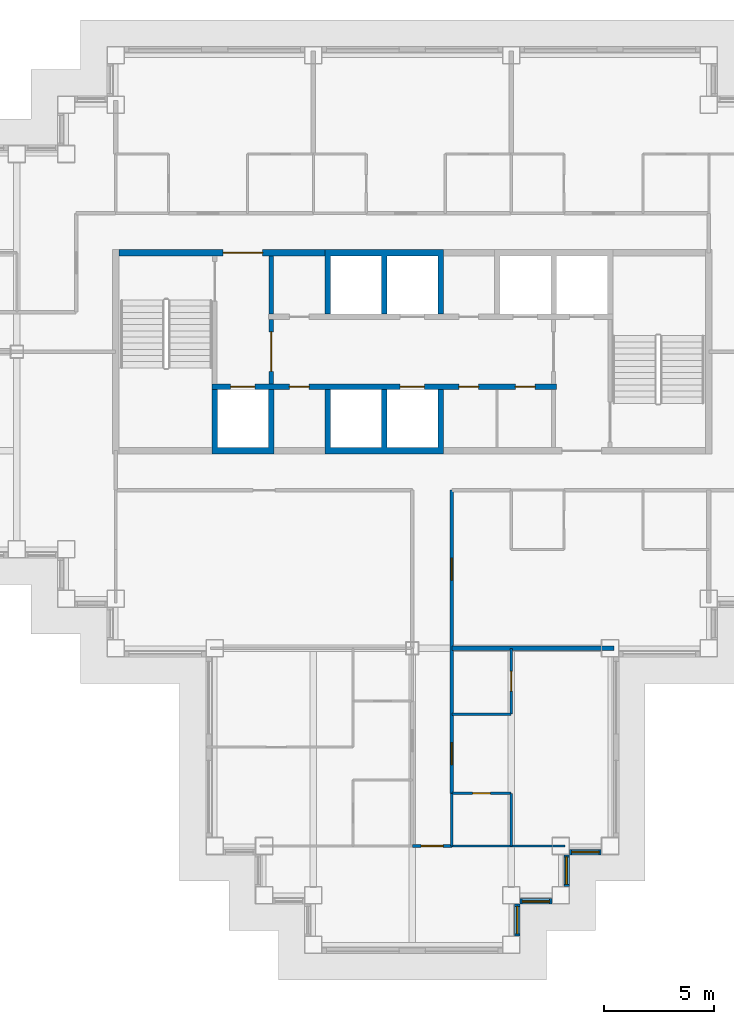
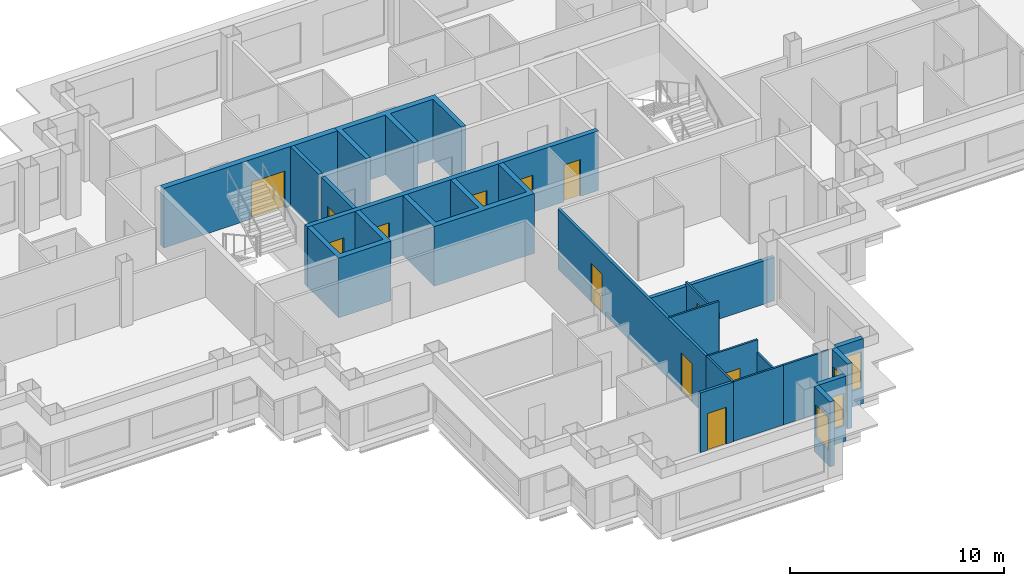
# One storey, part 5 of 13: 21 walls, 12 doors, 4 windows, 16 openings.
"""IFC4 building model written with IfcOpenShell, lengths in metres."""

from ifc_helpers import new_model, si_unit, direction, frame, frame_2d, origin, place, context, subcontext, project, spatial, polyline, rectangle, outline, extrude, material, layer, layer_set, type_object, element, fill, save


model = new_model("IFC4")

# Units and contexts
model_context = context("Model", 3, precision=1e-05, world=origin(), true_north=direction((0.0, 1.0)))
body_context = subcontext(model_context, "Body", "Model", "MODEL_VIEW")
ifc_project = project(units=[si_unit("LENGTHUNIT", "METRE"), si_unit("AREAUNIT", "SQUARE_METRE"), si_unit("VOLUMEUNIT", "CUBIC_METRE"), si_unit("PLANEANGLEUNIT", "RADIAN"), si_unit("MASSUNIT", "GRAM", prefix="KILO")], contexts=[model_context])

# Site, building, storey
site_placement = place(None, origin())
site = spatial("IfcSite", under=ifc_project, at=site_placement, CompositionType="ELEMENT")
building_placement = place(site_placement, origin())
building = spatial("IfcBuilding", under=site, at=building_placement, Name="Caravel Reach Hotel and Residences", CompositionType="ELEMENT")
storey_placement = place(building_placement, frame((0.0, 0.0, 154.300048828125)))
storey = spatial("IfcBuildingStorey", under=building, at=storey_placement, Name="L38", CompositionType="ELEMENT", Elevation=154.300048828125)

# Wall
ifc_material_1 = material(Name="Gypsum board on steel stud", Category="steel")
ifc_layer_1 = layer(ifc_material_1, 0.10009765625)
ifc_layer_set_1 = layer_set([ifc_layer_1], Name="Bathroom pod wall 100 mm")
wall_type_1 = type_object("IfcWallType", Name="Bathroom pod wall 100 mm", PredefinedType="PARTITIONING", material=ifc_layer_set_1)
wall_1_placement = place(storey_placement, frame((33.300048828125, 4.5, 0.0), z_axis=(0.0, 0.0, 1.0), x_axis=(1.0, 0.0, 0.0)))
element("IfcWall", 1, at=wall_1_placement, inside=storey, type_object=wall_type_1, Name="L38 wall w095", PredefinedType="PARTITIONING", context=body_context, shape_type="SweptSolid", body=[
    extrude(rectangle(XDim=2.699951171875, YDim=0.10009765625, at=frame_2d((1.35009765625, 0.0))), origin(), (0.0, 0.0, 1.0), 3.39990234375),
])

# Wall, opening, door
wall_2_placement = place(storey_placement, frame((33.300048828125, 6.89990234375, 0.0), z_axis=(0.0, 0.0, 1.0), x_axis=(1.0, 0.0, 0.0)))
wall_2 = element("IfcWall", 2, at=wall_2_placement, inside=storey, type_object=wall_type_1, Name="L38 wall w096", PredefinedType="PARTITIONING", context=body_context, shape_type="SweptSolid", body=[
    extrude(rectangle(XDim=2.699951171875, YDim=0.10009765625, at=frame_2d((1.35009765625, 0.0))), origin(), (0.0, 0.0, 1.0), 3.39990234375),
])
opening_1_placement = place(wall_2_placement, frame((0.949951171875, 0.0, 0.0)))
opening_1 = element("IfcOpeningElement", 3, at=opening_1_placement, cuts=wall_2, Name="Opening D38-044", PredefinedType="OPENING", context=body_context, shape_type="SweptSolid", body=[
    extrude(rectangle(XDim=0.800048828125, YDim=2.10009765625, at=frame_2d((0.39990234375, 1.050048828125))), frame((0.0, 0.06005859375, 0.0), z_axis=(0.0, -1.0, 0.0), x_axis=(1.0, 0.0, 0.0)), (0.0, 0.0, 1.0), 0.1201171875),
])
ifc_material_2 = material(Name="Timber and steel door leaf", Category="steel")
door_type_1 = type_object("IfcDoorType", Name="Bathroom door 800 x 2100", OperationType="SINGLE_SWING_LEFT", PredefinedType="DOOR", material=ifc_material_2)
door_1_placement = place(opening_1_placement, origin())
door_1 = element("IfcDoor", 4, at=door_1_placement, inside=storey, type_object=door_type_1, Name="door D38-044", OperationType="SINGLE_SWING_RIGHT", OverallHeight=2.10009765625, OverallWidth=0.800048828125, PredefinedType="DOOR", context=body_context, shape_type="SweptSolid", body=[
    extrude(rectangle(XDim=0.800048828125, YDim=2.10009765625, at=frame_2d((0.39990234375, 1.050048828125))), frame((0.0, 0.02490234375, 0.0), z_axis=(0.0, -1.0, 0.0), x_axis=(1.0, 0.0, 0.0)), (0.0, 0.0, 1.0), 0.050048828125),
])
fill(opening_1, door_1)

# Walls
wall_3_placement = place(storey_placement, frame((33.300048828125, 4.5, 0.0), z_axis=(0.0, 0.0, 1.0), x_axis=(0.0, 1.0, 0.0)))
element("IfcWall", 5, at=wall_3_placement, inside=storey, type_object=wall_type_1, Name="L38 wall w104", PredefinedType="PARTITIONING", context=body_context, shape_type="SweptSolid", body=[
    extrude(rectangle(XDim=2.39990234375, YDim=0.10009765625, at=frame_2d((1.199951171875, 0.0))), origin(), (0.0, 0.0, 1.0), 3.39990234375),
])
wall_4_placement = place(storey_placement, frame((36.0, 4.5, 0.0), z_axis=(0.0, 0.0, 1.0), x_axis=(0.0, 1.0, 0.0)))
element("IfcWall", 6, at=wall_4_placement, inside=storey, type_object=wall_type_1, Name="L38 wall w106", PredefinedType="PARTITIONING", context=body_context, shape_type="SweptSolid", body=[
    extrude(rectangle(XDim=2.39990234375, YDim=0.10009765625, at=frame_2d((1.199951171875, 0.0))), origin(), (0.0, 0.0, 1.0), 2.679931640625),
])
ifc_material_3 = material(Name="Autoclaved aerated block wall")
ifc_layer_2 = layer(ifc_material_3, 0.199951171875)
ifc_layer_set_2 = layer_set([ifc_layer_2], Name="Compartment wall 200 mm EI 120")
wall_type_2 = type_object("IfcWallType", Name="Compartment wall 200 mm EI 120", PredefinedType="PARTITIONING", material=ifc_layer_set_2)
wall_5_placement = place(storey_placement, frame((25.071533203125, 28.72509765625, 0.0), z_axis=(0.0, 0.0, 1.0), x_axis=(0.0, 1.0, 0.0)))
element("IfcWall", 7, at=wall_5_placement, inside=storey, type_object=wall_type_2, Name="L38 store partition", PredefinedType="PARTITIONING", context=body_context, shape_type="SweptSolid", body=[
    extrude(rectangle(XDim=2.625, YDim=0.199951171875, at=frame_2d((1.3125, 0.0))), origin(), (0.0, 0.0, 1.0), 3.39990234375),
])

# Wall, opening, door
ifc_material_4 = material(Name="Concrete C60", Category="concrete")
ifc_layer_3 = layer(ifc_material_4, 0.300048828125)
ifc_layer_set_3 = layer_set([ifc_layer_3], Name="Core wall 300 mm EI 120")
wall_type_3 = type_object("IfcWallType", Name="Core wall 300 mm EI 120", PredefinedType="SHEAR", material=ifc_layer_set_3)
wall_6_placement = place(storey_placement, frame((18.14990234375, 31.5, 0.0), z_axis=(0.0, 0.0, 1.0), x_axis=(1.0, 0.0, 0.0)))
wall_6 = element("IfcWall", 8, at=wall_6_placement, inside=storey, type_object=wall_type_3, Name="L38 core wall N1", PredefinedType="SHEAR", context=body_context, shape_type="SweptSolid", body=[
    extrude(rectangle(XDim=9.367919921875, YDim=0.300048828125, at=frame_2d((4.68408203125, 0.0))), origin(), (0.0, 0.0, 1.0), 3.39990234375),
])
opening_2_placement = place(wall_6_placement, frame((4.735595703125, 0.0, 0.0)))
opening_2 = element("IfcOpeningElement", 9, at=opening_2_placement, cuts=wall_6, Name="Opening D38-015", PredefinedType="OPENING", context=body_context, shape_type="SweptSolid", body=[
    extrude(rectangle(XDim=1.800048828125, YDim=2.10009765625, at=frame_2d((0.89990234375, 1.050048828125))), frame((0.0, 0.159912109375, 0.0), z_axis=(0.0, -1.0, 0.0), x_axis=(1.0, 0.0, 0.0)), (0.0, 0.0, 1.0), 0.320068359375),
])
ifc_material_5 = material(Name="Steel fire door leaf", Category="steel")
door_type_2 = type_object("IfcDoorType", Name="Fire lobby door pair 1800 x 2100 EI 90", OperationType="DOUBLE_DOOR_SINGLE_SWING", PredefinedType="DOOR", material=ifc_material_5)
door_2_placement = place(opening_2_placement, origin())
door_2 = element("IfcDoor", 10, at=door_2_placement, inside=storey, type_object=door_type_2, Name="lobby N door pair to corridor", OperationType="DOUBLE_DOOR_SINGLE_SWING", OverallHeight=2.10009765625, OverallWidth=1.800048828125, PredefinedType="DOOR", context=body_context, shape_type="SweptSolid", body=[
    extrude(rectangle(XDim=1.800048828125, YDim=2.10009765625, at=frame_2d((0.89990234375, 1.050048828125))), frame((0.0, 0.02490234375, 0.0), z_axis=(0.0, -1.0, 0.0), x_axis=(1.0, 0.0, 0.0)), (0.0, 0.0, 1.0), 0.050048828125),
])
fill(opening_2, door_2)

ifc_material_6 = material(Name="Gypsum board on steel stud, fire-rated", Category="steel")
ifc_layer_4 = layer(ifc_material_6, 0.14990234375)
ifc_layer_set_4 = layer_set([ifc_layer_4], Name="Corridor wall 150 mm EI 60")
wall_type_4 = type_object("IfcWallType", Name="Corridor wall 150 mm EI 60", PredefinedType="PARTITIONING", material=ifc_layer_set_4)
wall_7_placement = place(storey_placement, frame((31.5, 4.5, 0.0), z_axis=(0.0, 0.0, 1.0), x_axis=(1.0, 0.0, 0.0)))
wall_7 = element("IfcWall", 11, at=wall_7_placement, inside=storey, type_object=wall_type_4, Name="L38 wall w021", PredefinedType="PARTITIONING", context=body_context, shape_type="SweptSolid", body=[
    extrude(rectangle(XDim=1.800048828125, YDim=0.14990234375, at=frame_2d((0.89990234375, 0.0))), origin(), (0.0, 0.0, 1.0), 3.39990234375),
])
opening_3_placement = place(wall_7_placement, frame((0.39990234375, 0.0, 0.0)))
opening_3 = element("IfcOpeningElement", 12, at=opening_3_placement, cuts=wall_7, Name="Opening D38-050", PredefinedType="OPENING", context=body_context, shape_type="SweptSolid", body=[
    extrude(rectangle(XDim=1.0, YDim=2.10009765625, at=frame_2d((0.5, 1.050048828125))), frame((0.0, 0.0849609375, 0.0), z_axis=(0.0, -1.0, 0.0), x_axis=(1.0, 0.0, 0.0)), (0.0, 0.0, 1.0), 0.169921875),
])
ifc_material_7 = material(Name="Steel fire door leaf", Category="steel")
door_type_3 = type_object("IfcDoorType", Name="Fire door 1000 x 2100 EI 60", OperationType="SINGLE_SWING_LEFT", PredefinedType="DOOR", material=ifc_material_7)
door_3_placement = place(opening_3_placement, origin())
door_3 = element("IfcDoor", 13, at=door_3_placement, inside=storey, type_object=door_type_3, Name="door D38-050", OperationType="SINGLE_SWING_RIGHT", OverallHeight=2.10009765625, OverallWidth=1.0, PredefinedType="DOOR", context=body_context, shape_type="SweptSolid", body=[
    extrude(rectangle(XDim=1.0, YDim=2.10009765625, at=frame_2d((0.5, 1.050048828125))), frame((0.0, 0.02490234375, 0.0), z_axis=(0.0, -1.0, 0.0), x_axis=(1.0, 0.0, 0.0)), (0.0, 0.0, 1.0), 0.050048828125),
])
fill(opening_3, door_3)

# Wall, openings, doors
wall_8_placement = place(storey_placement, frame((33.300048828125, 6.89990234375, 0.0), z_axis=(0.0, 0.0, 1.0), x_axis=(0.0, 1.0, 0.0)))
wall_8 = element("IfcWall", 14, at=wall_8_placement, inside=storey, type_object=wall_type_4, Name="L38 wall w027", PredefinedType="PARTITIONING", context=body_context, shape_type="SweptSolid", body=[
    extrude(rectangle(XDim=13.799072265625, YDim=0.14990234375, at=frame_2d((6.8994140625, 0.0))), origin(), (0.0, 0.0, 1.0), 3.39990234375),
])
opening_4_placement = place(wall_8_placement, frame((9.69921875, 0.0, 0.0)))
opening_4 = element("IfcOpeningElement", 15, at=opening_4_placement, cuts=wall_8, Name="Opening D38-036", PredefinedType="OPENING", context=body_context, shape_type="SweptSolid", body=[
    extrude(rectangle(XDim=1.0, YDim=2.199951171875, at=frame_2d((0.5, 1.10009765625))), frame((0.0, 0.0849609375, 0.0), z_axis=(0.0, -1.0, 0.0), x_axis=(1.0, 0.0, 0.0)), (0.0, 0.0, 1.0), 0.169921875),
])
opening_5_placement = place(wall_8_placement, frame((1.300048828125, 0.0, 0.0)))
opening_5 = element("IfcOpeningElement", 16, at=opening_5_placement, cuts=wall_8, Name="Opening D38-043", PredefinedType="OPENING", context=body_context, shape_type="SweptSolid", body=[
    extrude(rectangle(XDim=1.0, YDim=2.199951171875, at=frame_2d((0.5, 1.10009765625))), frame((0.0, 0.0849609375, 0.0), z_axis=(0.0, -1.0, 0.0), x_axis=(1.0, 0.0, 0.0)), (0.0, 0.0, 1.0), 0.169921875),
])
ifc_material_8 = material(Name="Steel fire door leaf", Category="steel")
door_type_4 = type_object("IfcDoorType", Name="Flat entrance door 1000 x 2200 EI 60", OperationType="SINGLE_SWING_LEFT", PredefinedType="DOOR", material=ifc_material_8)
door_4_placement = place(opening_4_placement, origin())
door_4 = element("IfcDoor", 17, at=door_4_placement, inside=storey, type_object=door_type_4, Name="door D38-036", OperationType="SINGLE_SWING_LEFT", OverallHeight=2.199951171875, OverallWidth=1.0, PredefinedType="DOOR", context=body_context, shape_type="SweptSolid", body=[
    extrude(rectangle(XDim=1.0, YDim=2.199951171875, at=frame_2d((0.5, 1.10009765625))), frame((0.0, 0.02490234375, 0.0), z_axis=(0.0, -1.0, 0.0), x_axis=(1.0, 0.0, 0.0)), (0.0, 0.0, 1.0), 0.050048828125),
])
fill(opening_4, door_4)
door_5_placement = place(opening_5_placement, origin())
door_5 = element("IfcDoor", 18, at=door_5_placement, inside=storey, type_object=door_type_4, Name="door D38-043", OperationType="SINGLE_SWING_RIGHT", OverallHeight=2.199951171875, OverallWidth=1.0, PredefinedType="DOOR", context=body_context, shape_type="SweptSolid", body=[
    extrude(rectangle(XDim=1.0, YDim=2.199951171875, at=frame_2d((0.5, 1.10009765625))), frame((0.0, 0.02490234375, 0.0), z_axis=(0.0, -1.0, 0.0), x_axis=(1.0, 0.0, 0.0)), (0.0, 0.0, 1.0), 0.050048828125),
])
fill(opening_5, door_5)

# Wall, opening, window
ifc_material_9 = material(Name="Insulated rainscreen wall, aluminium cladding", Category="aluminium")
ifc_layer_5 = layer(ifc_material_9, 0.25)
ifc_layer_set_5 = layer_set([ifc_layer_5], Name="EW1 Tower rainscreen wall")
wall_type_5 = type_object("IfcWallType", Name="EW1 Tower rainscreen wall", PredefinedType="SOLIDWALL", material=ifc_layer_set_5)
wall_9_placement = place(storey_placement, frame((36.27490234375, 0.39990234375, 0.0), z_axis=(0.0, 0.0, 1.0), x_axis=(0.0, 1.0, 0.0)))
wall_9 = element("IfcWall", 19, at=wall_9_placement, inside=storey, type_object=wall_type_5, Name="External wall L38 E6.1", PredefinedType="SOLIDWALL", context=body_context, shape_type="SweptSolid", body=[
    extrude(rectangle(XDim=1.4501953125, YDim=0.25, at=frame_2d((0.72509765625, 0.0))), origin(), (0.0, 0.0, 1.0), 3.699951171875),
])
opening_6_placement = place(wall_9_placement, frame((0.10009765625, 0.0, 0.89990234375)))
opening_6 = element("IfcOpeningElement", 20, at=opening_6_placement, cuts=wall_9, Name="Opening WN13", PredefinedType="OPENING", context=body_context, shape_type="SweptSolid", body=[
    extrude(rectangle(XDim=1.25, YDim=1.85009765625, at=frame_2d((0.625, 0.925048828125))), frame((0.0, 0.135009765625, 0.0), z_axis=(0.0, -1.0, 0.0), x_axis=(1.0, 0.0, 0.0)), (0.0, 0.0, 1.0), 0.27001953125),
])
ifc_material_10 = material(Name="Dark low-e glazing in black aluminium frame", Category="aluminium")
window_type_1 = type_object("IfcWindowType", Name="Residence bedroom window 1250 x 1850", PartitioningType="SINGLE_PANEL", PredefinedType="WINDOW", material=ifc_material_10)
window_1_placement = place(opening_6_placement, origin())
window_1 = element("IfcWindow", 21, at=window_1_placement, inside=storey, type_object=window_type_1, Name="Window L38 E6.1.1", OverallHeight=1.85009765625, OverallWidth=1.25, PartitioningType="SINGLE_PANEL", PredefinedType="WINDOW", context=body_context, shape_type="SweptSolid", body=[
    extrude(rectangle(XDim=1.25, YDim=1.85009765625, at=frame_2d((0.625, 0.925048828125))), frame((0.0, 0.030029296875, 0.0), z_axis=(0.0, -1.0, 0.0), x_axis=(1.0, 0.0, 0.0)), (0.0, 0.0, 1.0), 0.06005859375),
])
fill(opening_6, window_1)

wall_10_placement = place(storey_placement, frame((36.39990234375, 1.97509765625, 0.0), z_axis=(0.0, 0.0, 1.0), x_axis=(1.0, 0.0, 0.0)))
wall_10 = element("IfcWall", 22, at=wall_10_placement, inside=storey, type_object=wall_type_5, Name="External wall L38 S7.1", PredefinedType="SOLIDWALL", context=body_context, shape_type="SweptSolid", body=[
    extrude(rectangle(XDim=1.4501953125, YDim=0.25, at=frame_2d((0.72509765625, 0.0))), origin(), (0.0, 0.0, 1.0), 3.699951171875),
])
opening_7_placement = place(wall_10_placement, frame((0.10009765625, 0.0, 0.89990234375)))
opening_7 = element("IfcOpeningElement", 23, at=opening_7_placement, cuts=wall_10, Name="Opening WN13", PredefinedType="OPENING", context=body_context, shape_type="SweptSolid", body=[
    extrude(rectangle(XDim=1.25, YDim=1.85009765625, at=frame_2d((0.625, 0.925048828125))), frame((0.0, 0.135009765625, 0.0), z_axis=(0.0, -1.0, 0.0), x_axis=(1.0, 0.0, 0.0)), (0.0, 0.0, 1.0), 0.27001953125),
])
window_2_placement = place(opening_7_placement, origin())
window_2 = element("IfcWindow", 24, at=window_2_placement, inside=storey, type_object=window_type_1, Name="Window L38 S7.1.1", OverallHeight=1.85009765625, OverallWidth=1.25, PartitioningType="SINGLE_PANEL", PredefinedType="WINDOW", context=body_context, shape_type="SweptSolid", body=[
    extrude(rectangle(XDim=1.25, YDim=1.85009765625, at=frame_2d((0.625, 0.925048828125))), frame((0.0, 0.030029296875, 0.0), z_axis=(0.0, -1.0, 0.0), x_axis=(1.0, 0.0, 0.0)), (0.0, 0.0, 1.0), 0.06005859375),
])
fill(opening_7, window_2)

wall_11_placement = place(storey_placement, frame((38.52490234375, 2.64990234375, 0.0), z_axis=(0.0, 0.0, 1.0), x_axis=(0.0, 1.0, 0.0)))
wall_11 = element("IfcWall", 25, at=wall_11_placement, inside=storey, type_object=wall_type_5, Name="External wall L38 E8.1", PredefinedType="SOLIDWALL", context=body_context, shape_type="SweptSolid", body=[
    extrude(rectangle(XDim=1.4501953125, YDim=0.25, at=frame_2d((0.72509765625, 0.0))), origin(), (0.0, 0.0, 1.0), 3.699951171875),
])
opening_8_placement = place(wall_11_placement, frame((0.10009765625, 0.0, 0.89990234375)))
opening_8 = element("IfcOpeningElement", 26, at=opening_8_placement, cuts=wall_11, Name="Opening WN13", PredefinedType="OPENING", context=body_context, shape_type="SweptSolid", body=[
    extrude(rectangle(XDim=1.25, YDim=1.85009765625, at=frame_2d((0.625, 0.925048828125))), frame((0.0, 0.135009765625, 0.0), z_axis=(0.0, -1.0, 0.0), x_axis=(1.0, 0.0, 0.0)), (0.0, 0.0, 1.0), 0.27001953125),
])
window_3_placement = place(opening_8_placement, origin())
window_3 = element("IfcWindow", 27, at=window_3_placement, inside=storey, type_object=window_type_1, Name="Window L38 E8.1.1", OverallHeight=1.85009765625, OverallWidth=1.25, PartitioningType="SINGLE_PANEL", PredefinedType="WINDOW", context=body_context, shape_type="SweptSolid", body=[
    extrude(rectangle(XDim=1.25, YDim=1.85009765625, at=frame_2d((0.625, 0.925048828125))), frame((0.0, 0.030029296875, 0.0), z_axis=(0.0, -1.0, 0.0), x_axis=(1.0, 0.0, 0.0)), (0.0, 0.0, 1.0), 0.06005859375),
])
fill(opening_8, window_3)

wall_12_placement = place(storey_placement, frame((38.64990234375, 4.22509765625, 0.0), z_axis=(0.0, 0.0, 1.0), x_axis=(1.0, 0.0, 0.0)))
wall_12 = element("IfcWall", 28, at=wall_12_placement, inside=storey, type_object=wall_type_5, Name="External wall L38 S9.1", PredefinedType="SOLIDWALL", context=body_context, shape_type="SweptSolid", body=[
    extrude(rectangle(XDim=1.4501953125, YDim=0.25, at=frame_2d((0.72509765625, 0.0))), origin(), (0.0, 0.0, 1.0), 3.699951171875),
])
opening_9_placement = place(wall_12_placement, frame((0.10009765625, 0.0, 0.89990234375)))
opening_9 = element("IfcOpeningElement", 29, at=opening_9_placement, cuts=wall_12, Name="Opening WN12", PredefinedType="OPENING", context=body_context, shape_type="SweptSolid", body=[
    extrude(rectangle(XDim=1.25, YDim=2.080078125, at=frame_2d((0.625, 1.0400390625))), frame((0.0, 0.135009765625, 0.0), z_axis=(0.0, -1.0, 0.0), x_axis=(1.0, 0.0, 0.0)), (0.0, 0.0, 1.0), 0.27001953125),
])
ifc_material_11 = material(Name="Dark low-e glazing in black aluminium frame", Category="aluminium")
window_type_2 = type_object("IfcWindowType", Name="Residence bedroom window 1250 x 2080", PartitioningType="SINGLE_PANEL", PredefinedType="WINDOW", material=ifc_material_11)
window_4_placement = place(opening_9_placement, origin())
window_4 = element("IfcWindow", 30, at=window_4_placement, inside=storey, type_object=window_type_2, Name="Window L38 S9.1.1", OverallHeight=2.080078125, OverallWidth=1.25, PartitioningType="SINGLE_PANEL", PredefinedType="WINDOW", context=body_context, shape_type="SweptSolid", body=[
    extrude(rectangle(XDim=1.25, YDim=2.080078125, at=frame_2d((0.625, 1.0400390625))), frame((0.0, 0.030029296875, 0.0), z_axis=(0.0, -1.0, 0.0), x_axis=(1.0, 0.0, 0.0)), (0.0, 0.0, 1.0), 0.06005859375),
])
fill(opening_9, window_4)

# Wall, opening, door
ifc_material_12 = material(Name="Autoclaved aerated block wall")
ifc_layer_6 = layer(ifc_material_12, 0.199951171875)
ifc_layer_set_6 = layer_set([ifc_layer_6], Name="Fire lobby wall 200 mm EI 120")
wall_type_6 = type_object("IfcWallType", Name="Fire lobby wall 200 mm EI 120", PredefinedType="PARTITIONING", material=ifc_layer_set_6)
wall_13_placement = place(storey_placement, frame((25.071533203125, 25.52490234375, 0.0), z_axis=(0.0, 0.0, 1.0), x_axis=(0.0, 1.0, 0.0)))
wall_13 = element("IfcWall", 31, at=wall_13_placement, inside=storey, type_object=wall_type_6, Name="L38 lobby W wall", PredefinedType="PARTITIONING", context=body_context, shape_type="SweptSolid", body=[
    extrude(rectangle(XDim=2.9501953125, YDim=0.199951171875, at=frame_2d((1.47509765625, 0.0))), origin(), (0.0, 0.0, 1.0), 3.39990234375),
])
opening_10_placement = place(wall_13_placement, frame((0.574951171875, 0.0, 0.0)))
opening_10 = element("IfcOpeningElement", 32, at=opening_10_placement, cuts=wall_13, Name="Opening D38-013", PredefinedType="OPENING", context=body_context, shape_type="SweptSolid", body=[
    extrude(rectangle(XDim=1.800048828125, YDim=2.10009765625, at=frame_2d((0.89990234375, 1.050048828125))), frame((0.0, 0.10986328125, 0.0), z_axis=(0.0, -1.0, 0.0), x_axis=(1.0, 0.0, 0.0)), (0.0, 0.0, 1.0), 0.219970703125),
])
door_6_placement = place(opening_10_placement, origin())
door_6 = element("IfcDoor", 33, at=door_6_placement, inside=storey, type_object=door_type_2, Name="lobby W door pair", OperationType="DOUBLE_DOOR_SINGLE_SWING", OverallHeight=2.10009765625, OverallWidth=1.800048828125, PredefinedType="DOOR", context=body_context, shape_type="SweptSolid", body=[
    extrude(rectangle(XDim=1.800048828125, YDim=2.10009765625, at=frame_2d((0.89990234375, 1.050048828125))), frame((0.0, 0.02490234375, 0.0), z_axis=(0.0, -1.0, 0.0), x_axis=(1.0, 0.0, 0.0)), (0.0, 0.0, 1.0), 0.050048828125),
])
fill(opening_10, door_6)

# Walls
ifc_material_13 = material(Name="Gypsum board on steel stud", Category="steel")
ifc_layer_7 = layer(ifc_material_13, 0.10009765625)
ifc_layer_set_7 = layer_set([ifc_layer_7], Name="Partition 100 mm")
wall_type_7 = type_object("IfcWallType", Name="Partition 100 mm", PredefinedType="PARTITIONING", material=ifc_layer_set_7)
wall_14_placement = place(storey_placement, frame((33.300048828125, 10.5, 0.0), z_axis=(0.0, 0.0, 1.0), x_axis=(1.0, 0.0, 0.0)))
element("IfcWall", 34, at=wall_14_placement, inside=storey, type_object=wall_type_7, Name="L38 wall w034", PredefinedType="PARTITIONING", context=body_context, shape_type="SweptSolid", body=[
    extrude(rectangle(XDim=2.699951171875, YDim=0.10009765625, at=frame_2d((1.35009765625, 0.0))), origin(), (0.0, 0.0, 1.0), 3.39990234375),
])
wall_15_placement = place(storey_placement, frame((36.0, 4.5, 0.0), z_axis=(0.0, 0.0, 1.0), x_axis=(1.0, 0.0, 0.0)))
element("IfcWall", 35, at=wall_15_placement, inside=storey, type_object=wall_type_7, Name="L38 wall w048", PredefinedType="PARTITIONING", context=body_context, shape_type="SweptSolid", body=[
    extrude(rectangle(XDim=2.43994140625, YDim=0.10009765625, at=frame_2d((1.219970703125, 0.0))), origin(), (0.0, 0.0, 1.0), 3.39990234375),
])

# Wall, opening, door
wall_16_placement = place(storey_placement, frame((36.0, 10.5, 0.0), z_axis=(0.0, 0.0, 1.0), x_axis=(0.0, 1.0, 0.0)))
wall_16 = element("IfcWall", 36, at=wall_16_placement, inside=storey, type_object=wall_type_7, Name="L38 wall w062", PredefinedType="PARTITIONING", context=body_context, shape_type="SweptSolid", body=[
    extrude(rectangle(XDim=3.0, YDim=0.10009765625, at=frame_2d((1.5, 0.0))), origin(), (0.0, 0.0, 1.0), 2.679931640625),
])
opening_11_placement = place(wall_16_placement, frame((1.050048828125, 0.0, 0.0)))
opening_11 = element("IfcOpeningElement", 37, at=opening_11_placement, cuts=wall_16, Name="Opening D38-045", PredefinedType="OPENING", context=body_context, shape_type="SweptSolid", body=[
    extrude(rectangle(XDim=0.89990234375, YDim=2.10009765625, at=frame_2d((0.449951171875, 1.050048828125))), frame((0.0, 0.06005859375, 0.0), z_axis=(0.0, -1.0, 0.0), x_axis=(1.0, 0.0, 0.0)), (0.0, 0.0, 1.0), 0.1201171875),
])
ifc_material_14 = material(Name="Timber and steel door leaf", Category="steel")
door_type_5 = type_object("IfcDoorType", Name="Door 900 x 2100 timber", OperationType="SINGLE_SWING_LEFT", PredefinedType="DOOR", material=ifc_material_14)
door_7_placement = place(opening_11_placement, origin())
door_7 = element("IfcDoor", 38, at=door_7_placement, inside=storey, type_object=door_type_5, Name="door D38-045", OperationType="SINGLE_SWING_LEFT", OverallHeight=2.10009765625, OverallWidth=0.89990234375, PredefinedType="DOOR", context=body_context, shape_type="SweptSolid", body=[
    extrude(rectangle(XDim=0.89990234375, YDim=2.10009765625, at=frame_2d((0.449951171875, 1.050048828125))), frame((0.0, 0.02490234375, 0.0), z_axis=(0.0, -1.0, 0.0), x_axis=(1.0, 0.0, 0.0)), (0.0, 0.0, 1.0), 0.050048828125),
])
fill(opening_11, door_7)

# Walls
ifc_material_15 = material(Name="Autoclaved aerated block wall")
ifc_layer_8 = layer(ifc_material_15, 0.199951171875)
ifc_layer_set_8 = layer_set([ifc_layer_8], Name="Party wall 200 mm EI 60")
wall_type_8 = type_object("IfcWallType", Name="Party wall 200 mm EI 60", PredefinedType="PARTITIONING", material=ifc_layer_set_8)
wall_17_placement = place(storey_placement, frame((33.301025390625, 13.5, 0.0), z_axis=(0.0, 0.0, 1.0), x_axis=(1.0, 0.0, 0.0)))
element("IfcWall", 39, at=wall_17_placement, inside=storey, type_object=wall_type_8, Name="L38 wall w073", PredefinedType="PARTITIONING", context=body_context, shape_type="SweptSolid", body=[
    extrude(rectangle(XDim=7.388916015625, YDim=0.199951171875, at=frame_2d((3.6943359375, 0.0))), origin(), (0.0, 0.0, 1.0), 2.47998046875),
])
ifc_material_16 = material(Name="Concrete C60", Category="concrete")
ifc_layer_9 = layer(ifc_material_16, 0.25)
ifc_layer_set_9 = layer_set([ifc_layer_9], Name="Shaft wall 250 mm EI 120")
wall_type_9 = type_object("IfcWallType", Name="Shaft wall 250 mm EI 120", PredefinedType="SHEAR", material=ifc_layer_set_9)
wall_18_placement = place(storey_placement, origin())
element("IfcWall", 40, at=wall_18_placement, inside=storey, type_object=wall_type_9, Name="L38 lift shaft wall S1", PredefinedType="SHEAR", context=body_context, shape_type="SweptSolid", body=[
    extrude(outline(polyline([(22.375, 22.35009765625), (25.196533203125, 22.35009765625), (25.196533203125, 25.27490234375), (24.946533203125, 25.27490234375), (24.946533203125, 22.64990234375), (22.625, 22.64990234375), (22.625, 25.27490234375), (22.375, 25.27490234375), (22.375, 22.35009765625)])), origin(), (0.0, 0.0, 1.0), 3.39990234375),
])
wall_19_placement = place(storey_placement, origin())
element("IfcWall", 41, at=wall_19_placement, inside=storey, type_object=wall_type_9, Name="L38 lift shaft wall S2", PredefinedType="SHEAR", context=body_context, shape_type="SweptSolid", body=[
    extrude(outline(polyline([(27.517822265625, 22.35009765625), (32.91064453125, 22.35009765625), (32.91064453125, 25.27490234375), (32.66064453125, 25.27490234375), (32.66064453125, 22.64990234375), (30.33935546875, 22.64990234375), (30.33935546875, 25.27490234375), (30.08935546875, 25.27490234375), (30.08935546875, 22.64990234375), (27.767822265625, 22.64990234375), (27.767822265625, 25.27490234375), (27.517822265625, 25.27490234375), (27.517822265625, 22.35009765625)])), origin(), (0.0, 0.0, 1.0), 3.39990234375),
])
wall_20_placement = place(storey_placement, origin())
element("IfcWall", 42, at=wall_20_placement, inside=storey, type_object=wall_type_9, Name="L38 lift shaft wall N1", PredefinedType="SHEAR", context=body_context, shape_type="SweptSolid", body=[
    extrude(outline(polyline([(27.517822265625, 28.72509765625), (27.767822265625, 28.72509765625), (27.767822265625, 31.35009765625), (30.08935546875, 31.35009765625), (30.08935546875, 28.72509765625), (30.33935546875, 28.72509765625), (30.33935546875, 31.35009765625), (32.66064453125, 31.35009765625), (32.66064453125, 28.72509765625), (32.91064453125, 28.72509765625), (32.91064453125, 31.64990234375), (27.517822265625, 31.64990234375), (27.517822265625, 28.72509765625)])), origin(), (0.0, 0.0, 1.0), 3.39990234375),
])

# Wall, openings, doors
wall_21_placement = place(storey_placement, frame((22.375, 25.39990234375, 0.0), z_axis=(0.0, 0.0, 1.0), x_axis=(1.0, 0.0, 0.0)))
wall_21 = element("IfcWall", 43, at=wall_21_placement, inside=storey, type_object=wall_type_9, Name="L38 lobby wall S1", PredefinedType="SHEAR", context=body_context, shape_type="SweptSolid", body=[
    extrude(rectangle(XDim=15.678466796875, YDim=0.25, at=frame_2d((7.83935546875, 0.0))), origin(), (0.0, 0.0, 1.0), 3.39990234375),
])
opening_12_placement = place(wall_21_placement, frame((8.574951171875, 0.0, 0.0)))
opening_12 = element("IfcOpeningElement", 44, at=opening_12_placement, cuts=wall_21, Name="Opening D38-001", PredefinedType="OPENING", context=body_context, shape_type="SweptSolid", body=[
    extrude(rectangle(XDim=1.10009765625, YDim=2.10009765625, at=frame_2d((0.550048828125, 1.050048828125))), frame((0.0, 0.135009765625, 0.0), z_axis=(0.0, -1.0, 0.0), x_axis=(1.0, 0.0, 0.0)), (0.0, 0.0, 1.0), 0.27001953125),
])
opening_13_placement = place(wall_21_placement, frame((0.860595703125, 0.0, 0.0)))
opening_13 = element("IfcOpeningElement", 45, at=opening_13_placement, cuts=wall_21, Name="Opening D38-004", PredefinedType="OPENING", context=body_context, shape_type="SweptSolid", body=[
    extrude(rectangle(XDim=1.10009765625, YDim=2.10009765625, at=frame_2d((0.550048828125, 1.050048828125))), frame((0.0, 0.135009765625, 0.0), z_axis=(0.0, -1.0, 0.0), x_axis=(1.0, 0.0, 0.0)), (0.0, 0.0, 1.0), 0.27001953125),
])
opening_14_placement = place(wall_21_placement, frame((3.531982421875, 0.0, 0.0)))
opening_14 = element("IfcOpeningElement", 46, at=opening_14_placement, cuts=wall_21, Name="Opening D38-006", PredefinedType="OPENING", context=body_context, shape_type="SweptSolid", body=[
    extrude(rectangle(XDim=0.89990234375, YDim=2.10009765625, at=frame_2d((0.449951171875, 1.050048828125))), frame((0.0, 0.135009765625, 0.0), z_axis=(0.0, -1.0, 0.0), x_axis=(1.0, 0.0, 0.0)), (0.0, 0.0, 1.0), 0.27001953125),
])
opening_15_placement = place(wall_21_placement, frame((11.246337890625, 0.0, 0.0)))
opening_15 = element("IfcOpeningElement", 47, at=opening_15_placement, cuts=wall_21, Name="Opening D38-007", PredefinedType="OPENING", context=body_context, shape_type="SweptSolid", body=[
    extrude(rectangle(XDim=0.89990234375, YDim=2.10009765625, at=frame_2d((0.449951171875, 1.050048828125))), frame((0.0, 0.135009765625, 0.0), z_axis=(0.0, -1.0, 0.0), x_axis=(1.0, 0.0, 0.0)), (0.0, 0.0, 1.0), 0.27001953125),
])
opening_16_placement = place(wall_21_placement, frame((13.81787109375, 0.0, 0.0)))
opening_16 = element("IfcOpeningElement", 48, at=opening_16_placement, cuts=wall_21, Name="Opening D38-008", PredefinedType="OPENING", context=body_context, shape_type="SweptSolid", body=[
    extrude(rectangle(XDim=0.89990234375, YDim=2.10009765625, at=frame_2d((0.449951171875, 1.050048828125))), frame((0.0, 0.135009765625, 0.0), z_axis=(0.0, -1.0, 0.0), x_axis=(1.0, 0.0, 0.0)), (0.0, 0.0, 1.0), 0.27001953125),
])
ifc_material_17 = material(Name="Stainless steel landing door", Category="steel")
door_type_6 = type_object("IfcDoorType", Name="Landing door LD 1100 x 2100 sliding", OperationType="DOUBLE_DOOR_SLIDING", PredefinedType="DOOR", material=ifc_material_17)
door_8_placement = place(opening_12_placement, origin())
door_8 = element("IfcDoor", 49, at=door_8_placement, inside=storey, type_object=door_type_6, Name="MP1 landing door", OperationType="DOUBLE_DOOR_SLIDING", OverallHeight=2.10009765625, OverallWidth=1.10009765625, PredefinedType="DOOR", context=body_context, shape_type="SweptSolid", body=[
    extrude(rectangle(XDim=1.10009765625, YDim=2.10009765625, at=frame_2d((0.550048828125, 1.050048828125))), frame((0.0, 0.02490234375, 0.0), z_axis=(0.0, -1.0, 0.0), x_axis=(1.0, 0.0, 0.0)), (0.0, 0.0, 1.0), 0.050048828125),
])
fill(opening_12, door_8)
door_9_placement = place(opening_13_placement, origin())
door_9 = element("IfcDoor", 50, at=door_9_placement, inside=storey, type_object=door_type_6, Name="FL1 landing door", OperationType="DOUBLE_DOOR_SLIDING", OverallHeight=2.10009765625, OverallWidth=1.10009765625, PredefinedType="DOOR", context=body_context, shape_type="SweptSolid", body=[
    extrude(rectangle(XDim=1.10009765625, YDim=2.10009765625, at=frame_2d((0.550048828125, 1.050048828125))), frame((0.0, 0.02490234375, 0.0), z_axis=(0.0, -1.0, 0.0), x_axis=(1.0, 0.0, 0.0)), (0.0, 0.0, 1.0), 0.050048828125),
])
fill(opening_13, door_9)
ifc_material_18 = material(Name="Steel fire door leaf", Category="steel")
door_type_7 = type_object("IfcDoorType", Name="Riser door 900 x 2100 EI 60", OperationType="SINGLE_SWING_LEFT", PredefinedType="DOOR", material=ifc_material_18)
door_10_placement = place(opening_14_placement, origin())
door_10 = element("IfcDoor", 51, at=door_10_placement, inside=storey, type_object=door_type_7, Name="Linen store door", OperationType="SINGLE_SWING_LEFT", OverallHeight=2.10009765625, OverallWidth=0.89990234375, PredefinedType="DOOR", context=body_context, shape_type="SweptSolid", body=[
    extrude(rectangle(XDim=0.89990234375, YDim=2.10009765625, at=frame_2d((0.449951171875, 1.050048828125))), frame((0.0, 0.02490234375, 0.0), z_axis=(0.0, -1.0, 0.0), x_axis=(1.0, 0.0, 0.0)), (0.0, 0.0, 1.0), 0.050048828125),
])
fill(opening_14, door_10)
door_11_placement = place(opening_15_placement, origin())
door_11 = element("IfcDoor", 52, at=door_11_placement, inside=storey, type_object=door_type_7, Name="Cleaners' room door", OperationType="SINGLE_SWING_LEFT", OverallHeight=2.10009765625, OverallWidth=0.89990234375, PredefinedType="DOOR", context=body_context, shape_type="SweptSolid", body=[
    extrude(rectangle(XDim=0.89990234375, YDim=2.10009765625, at=frame_2d((0.449951171875, 1.050048828125))), frame((0.0, 0.02490234375, 0.0), z_axis=(0.0, -1.0, 0.0), x_axis=(1.0, 0.0, 0.0)), (0.0, 0.0, 1.0), 0.050048828125),
])
fill(opening_15, door_11)
door_12_placement = place(opening_16_placement, origin())
door_12 = element("IfcDoor", 53, at=door_12_placement, inside=storey, type_object=door_type_7, Name="Electrical riser room door", OperationType="SINGLE_SWING_LEFT", OverallHeight=2.10009765625, OverallWidth=0.89990234375, PredefinedType="DOOR", context=body_context, shape_type="SweptSolid", body=[
    extrude(rectangle(XDim=0.89990234375, YDim=2.10009765625, at=frame_2d((0.449951171875, 1.050048828125))), frame((0.0, 0.02490234375, 0.0), z_axis=(0.0, -1.0, 0.0), x_axis=(1.0, 0.0, 0.0)), (0.0, 0.0, 1.0), 0.050048828125),
])
fill(opening_16, door_12)

save(model, "model.ifc")
